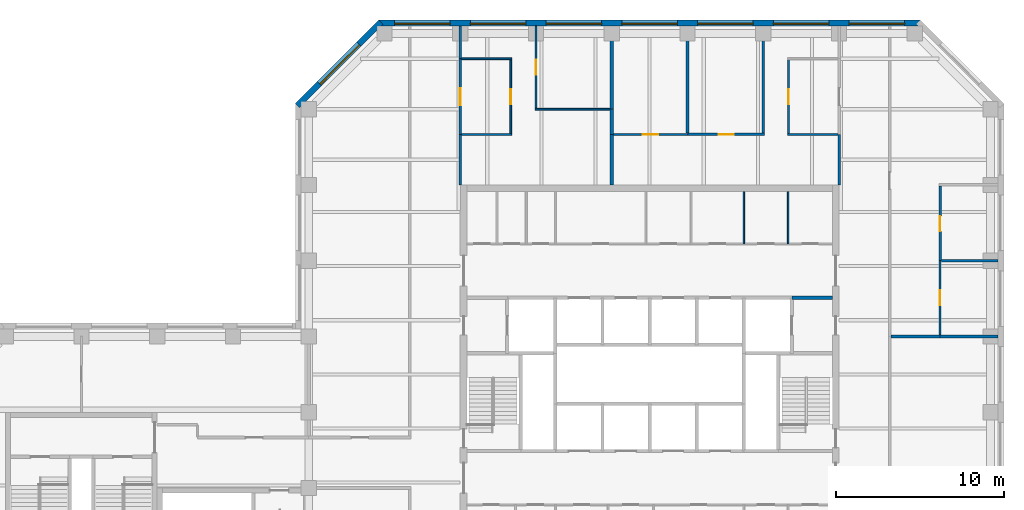
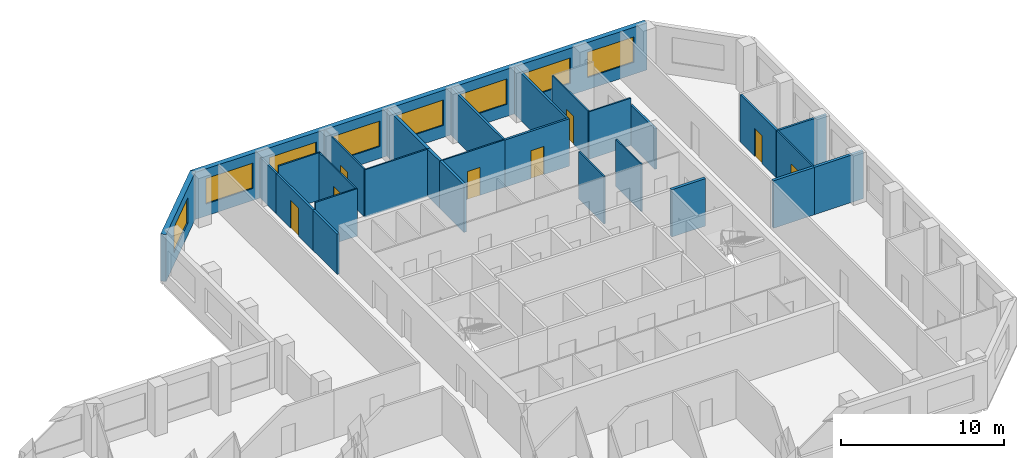
# One storey, part 7 of 9: 28 walls, 8 doors, 8 windows, 16 openings.
"""IFC4 building model written with IfcOpenShell, lengths in metres."""

from ifc_helpers import new_model, si_unit, direction, frame, frame_2d, origin, place, context, subcontext, project, spatial, rectangle, extrude, material, layer, layer_set, constituent, constituent_set, type_object, element, fill, save


model = new_model("IFC4")

# Units and contexts
model_context = context("Model", 3, precision=1e-05, world=origin(), true_north=direction((0.0, 1.0)))
body_context = subcontext(model_context, "Body", "Model", "MODEL_VIEW")
ifc_project = project(units=[si_unit("LENGTHUNIT", "METRE"), si_unit("AREAUNIT", "SQUARE_METRE"), si_unit("VOLUMEUNIT", "CUBIC_METRE"), si_unit("PLANEANGLEUNIT", "RADIAN"), si_unit("MASSUNIT", "GRAM", prefix="KILO")], contexts=[model_context])

# Site, building, storey
site_placement = place(None, origin())
site = spatial("IfcSite", under=ifc_project, at=site_placement, CompositionType="ELEMENT")
building_placement = place(site_placement, origin())
building = spatial("IfcBuilding", under=site, at=building_placement, Name="Quoin Convention Tower", CompositionType="ELEMENT")
storey_placement = place(building_placement, frame((0.0, 0.0, 248.89990234375)))
storey = spatial("IfcBuildingStorey", under=building, at=storey_placement, Name="L65", CompositionType="ELEMENT", Elevation=248.89990234375)

# Wall
ifc_material_1 = material(Name="Plasterboard")
ifc_layer_1 = layer(ifc_material_1, 0.012451171875, Name="Finish")
ifc_material_2 = material(Name="Steel stud framing", Category="steel")
ifc_layer_2 = layer(ifc_material_2, 0.125, Name="Structure")
ifc_layer_3 = layer(ifc_material_1, 0.012451171875, Name="Finish")
ifc_layer_set_1 = layer_set([ifc_layer_1, ifc_layer_2, ifc_layer_3], Name="Steel stud framing")
wall_type_1 = type_object("IfcWallType", Name="Acoustic partition 150", PredefinedType="PARTITIONING", material=ifc_layer_set_1)
wall_1_placement = place(storey_placement, frame((73.574951171875, 67.5, 0.0), z_axis=(0.0, 0.0, 1.0), x_axis=(1.0, 0.0, 0.0)))
element("IfcWall", 1, at=wall_1_placement, inside=storey, type_object=wall_type_1, Name="pw-L65-023", PredefinedType="PARTITIONING", context=body_context, shape_type="SweptSolid", body=[
    extrude(rectangle(XDim=3.375, YDim=0.14990234375, at=frame_2d((1.6875, 0.0))), origin(), (0.0, 0.0, 1.0), 3.550048828125),
])

# Wall, opening, door
wall_2_placement = place(storey_placement, frame((58.5, 75.0, 0.0), z_axis=(0.0, 0.0, 1.0), x_axis=(1.0, 0.0, 0.0)))
wall_2 = element("IfcWall", 2, at=wall_2_placement, inside=storey, type_object=wall_type_1, Name="pw-L65-027", PredefinedType="PARTITIONING", context=body_context, shape_type="SweptSolid", body=[
    extrude(rectangle(XDim=4.574951171875, YDim=0.14990234375, at=frame_2d((2.28759765625, 0.0))), origin(), (0.0, 0.0, 1.0), 3.550048828125),
])
opening_1_placement = place(wall_2_placement, frame((1.85009765625, 0.0, 0.0)))
opening_1 = element("IfcOpeningElement", 3, at=opening_1_placement, cuts=wall_2, Name="Opening DOH12-08", PredefinedType="OPENING", context=body_context, shape_type="SweptSolid", body=[
    extrude(rectangle(XDim=0.89990234375, YDim=2.10009765625, at=frame_2d((0.449951171875, 1.050048828125))), frame((0.0, 0.0849609375, 0.0), z_axis=(0.0, -1.0, 0.0), x_axis=(1.0, 0.0, 0.0)), (0.0, 0.0, 1.0), 0.169921875),
])
ifc_material_3 = material(Name="Steel door leaf", Category="steel")
door_type_1 = type_object("IfcDoorType", Name="Office door 900 x 2100", OperationType="SINGLE_SWING_RIGHT", PredefinedType="DOOR", material=ifc_material_3)
door_1_placement = place(opening_1_placement, frame((0.89990234375, 0.0, 0.0), z_axis=(0.0, 0.0, 1.0), x_axis=(-1.0, 0.0, 0.0)))
door_1 = element("IfcDoor", 4, at=door_1_placement, inside=storey, type_object=door_type_1, Name="dr-L65-22", OperationType="SINGLE_SWING_LEFT", OverallHeight=2.10009765625, OverallWidth=0.89990234375, PredefinedType="DOOR", context=body_context, shape_type="SweptSolid", body=[
    extrude(rectangle(XDim=0.89990234375, YDim=2.10009765625, at=frame_2d((0.449951171875, 1.050048828125))), frame((0.0, 0.02490234375, 0.0), z_axis=(0.0, -1.0, 0.0), x_axis=(1.0, 0.0, 0.0)), (0.0, 0.0, 1.0), 0.050048828125),
])
fill(opening_1, door_1)

wall_3_placement = place(storey_placement, frame((73.5, 67.5, 0.0), z_axis=(0.0, 0.0, 1.0), x_axis=(0.0, 1.0, 0.0)))
wall_3 = element("IfcWall", 5, at=wall_3_placement, inside=storey, type_object=wall_type_1, Name="pw-L65-064", PredefinedType="PARTITIONING", context=body_context, shape_type="SweptSolid", body=[
    extrude(rectangle(XDim=4.425048828125, YDim=0.14990234375, at=frame_2d((2.21240234375, 0.0))), origin(), (0.0, 0.0, 1.0), 3.550048828125),
])
opening_2_placement = place(wall_3_placement, frame((1.75, 0.0, 0.0)))
opening_2 = element("IfcOpeningElement", 6, at=opening_2_placement, cuts=wall_3, Name="Opening DOH12-17", PredefinedType="OPENING", context=body_context, shape_type="SweptSolid", body=[
    extrude(rectangle(XDim=0.89990234375, YDim=2.10009765625, at=frame_2d((0.449951171875, 1.050048828125))), frame((0.0, 0.0849609375, 0.0), z_axis=(0.0, -1.0, 0.0), x_axis=(1.0, 0.0, 0.0)), (0.0, 0.0, 1.0), 0.169921875),
])
door_2_placement = place(opening_2_placement, origin())
door_2 = element("IfcDoor", 7, at=door_2_placement, inside=storey, type_object=door_type_1, Name="dr-L65-29", OperationType="SINGLE_SWING_RIGHT", OverallHeight=2.10009765625, OverallWidth=0.89990234375, PredefinedType="DOOR", context=body_context, shape_type="SweptSolid", body=[
    extrude(rectangle(XDim=0.89990234375, YDim=2.10009765625, at=frame_2d((0.449951171875, 1.050048828125))), frame((0.0, 0.02490234375, 0.0), z_axis=(0.0, -1.0, 0.0), x_axis=(1.0, 0.0, 0.0)), (0.0, 0.0, 1.0), 0.050048828125),
])
fill(opening_2, door_2)

# Walls
for number, where, z_axis, x_axis, name in (
    (8, (58.5, 75.074951171875, 0.0), (0.0, 0.0, 1.0), (0.0, 1.0, 0.0), "pw-L65-073"),
    (9, (63.0, 75.074951171875, 0.0), (0.0, 0.0, 1.0), (0.0, 1.0, 0.0), "pw-L65-074"),
):
    element("IfcWall", number, at=place(storey_placement, frame(where, z_axis=z_axis, x_axis=x_axis)), inside=storey, type_object=wall_type_1, Name=name, PredefinedType="PARTITIONING", context=body_context, shape_type="SweptSolid", body=[
        extrude(rectangle(XDim=6.375, YDim=0.14990234375, at=frame_2d((3.1875, 0.0))), origin(), (0.0, 0.0, 1.0), 3.550048828125),
    ])

# Wall, openings, windows
ifc_material_4 = material(Name="Brick masonry", Category="masonry")
ifc_layer_4 = layer(ifc_material_4, 0.35009765625)
ifc_layer_set_2 = layer_set([ifc_layer_4], Name="Brick masonry")
wall_type_2 = type_object("IfcWallType", Name="Brick facade wall", PredefinedType="STANDARD", material=ifc_layer_set_2)
wall_4_placement = place(storey_placement, frame((72.331298828125, 81.625, 0.0), z_axis=(0.0, 0.0, 1.0), x_axis=(-1.0, 0.0, 0.0)))
wall_4 = element("IfcWall", 10, at=wall_4_placement, inside=storey, type_object=wall_type_2, Name="fw-L65-72000_81000", PredefinedType="STANDARD", context=body_context, shape_type="SweptSolid", body=[
    extrude(rectangle(XDim=32.16259765625, YDim=0.35009765625, at=frame_2d((16.081298828125, 0.0))), origin(), (0.0, 0.0, 1.0), 3.525146484375),
])
opening_3_placement = place(wall_4_placement, frame((0.931396484375, 0.0, 0.89990234375)))
opening_3 = element("IfcOpeningElement", 11, at=opening_3_placement, cuts=wall_4, Name="Opening W-02", PredefinedType="OPENING", context=body_context, shape_type="SweptSolid", body=[
    extrude(rectangle(XDim=3.300048828125, YDim=1.89990234375, at=frame_2d((1.64990234375, 0.949951171875))), frame((0.0, 0.18505859375, 0.0), z_axis=(0.0, -1.0, 0.0), x_axis=(1.0, 0.0, 0.0)), (0.0, 0.0, 1.0), 0.3701171875),
])
opening_4_placement = place(wall_4_placement, frame((5.431396484375, 0.0, 0.89990234375)))
opening_4 = element("IfcOpeningElement", 12, at=opening_4_placement, cuts=wall_4, Name="Opening W-02", PredefinedType="OPENING", context=body_context, shape_type="SweptSolid", body=[
    extrude(rectangle(XDim=3.300048828125, YDim=1.89990234375, at=frame_2d((1.64990234375, 0.949951171875))), frame((0.0, 0.18505859375, 0.0), z_axis=(0.0, -1.0, 0.0), x_axis=(1.0, 0.0, 0.0)), (0.0, 0.0, 1.0), 0.3701171875),
])
opening_5_placement = place(wall_4_placement, frame((9.931396484375, 0.0, 0.89990234375)))
opening_5 = element("IfcOpeningElement", 13, at=opening_5_placement, cuts=wall_4, Name="Opening W-02", PredefinedType="OPENING", context=body_context, shape_type="SweptSolid", body=[
    extrude(rectangle(XDim=3.300048828125, YDim=1.89990234375, at=frame_2d((1.64990234375, 0.949951171875))), frame((0.0, 0.18505859375, 0.0), z_axis=(0.0, -1.0, 0.0), x_axis=(1.0, 0.0, 0.0)), (0.0, 0.0, 1.0), 0.3701171875),
])
opening_6_placement = place(wall_4_placement, frame((14.431396484375, 0.0, 0.89990234375)))
opening_6 = element("IfcOpeningElement", 14, at=opening_6_placement, cuts=wall_4, Name="Opening W-02", PredefinedType="OPENING", context=body_context, shape_type="SweptSolid", body=[
    extrude(rectangle(XDim=3.300048828125, YDim=1.89990234375, at=frame_2d((1.64990234375, 0.949951171875))), frame((0.0, 0.18505859375, 0.0), z_axis=(0.0, -1.0, 0.0), x_axis=(1.0, 0.0, 0.0)), (0.0, 0.0, 1.0), 0.3701171875),
])
opening_7_placement = place(wall_4_placement, frame((18.931396484375, 0.0, 0.89990234375)))
opening_7 = element("IfcOpeningElement", 15, at=opening_7_placement, cuts=wall_4, Name="Opening W-02", PredefinedType="OPENING", context=body_context, shape_type="SweptSolid", body=[
    extrude(rectangle(XDim=3.300048828125, YDim=1.89990234375, at=frame_2d((1.64990234375, 0.949951171875))), frame((0.0, 0.18505859375, 0.0), z_axis=(0.0, -1.0, 0.0), x_axis=(1.0, 0.0, 0.0)), (0.0, 0.0, 1.0), 0.3701171875),
])
opening_8_placement = place(wall_4_placement, frame((23.431396484375, 0.0, 0.89990234375)))
opening_8 = element("IfcOpeningElement", 16, at=opening_8_placement, cuts=wall_4, Name="Opening W-02", PredefinedType="OPENING", context=body_context, shape_type="SweptSolid", body=[
    extrude(rectangle(XDim=3.300048828125, YDim=1.89990234375, at=frame_2d((1.64990234375, 0.949951171875))), frame((0.0, 0.18505859375, 0.0), z_axis=(0.0, -1.0, 0.0), x_axis=(1.0, 0.0, 0.0)), (0.0, 0.0, 1.0), 0.3701171875),
])
opening_9_placement = place(wall_4_placement, frame((27.931396484375, 0.0, 0.89990234375)))
opening_9 = element("IfcOpeningElement", 17, at=opening_9_placement, cuts=wall_4, Name="Opening W-02", PredefinedType="OPENING", context=body_context, shape_type="SweptSolid", body=[
    extrude(rectangle(XDim=3.300048828125, YDim=1.89990234375, at=frame_2d((1.64990234375, 0.949951171875))), frame((0.0, 0.18505859375, 0.0), z_axis=(0.0, -1.0, 0.0), x_axis=(1.0, 0.0, 0.0)), (0.0, 0.0, 1.0), 0.3701171875),
])
ifc_material_5 = material(Name="Aluminium", Category="aluminium")
ifc_constituent_1 = constituent(ifc_material_5, Name="Frame")
ifc_material_6 = material(Name="Insulated glass", Category="glass")
ifc_constituent_2 = constituent(ifc_material_6, Name="Glazing")
ifc_constituent_set = constituent_set(constituents=[ifc_constituent_1, ifc_constituent_2], Name="Aluminium")
window_type = type_object("IfcWindowType", Name="Office window", PartitioningType="DOUBLE_PANEL_VERTICAL", PredefinedType="WINDOW", material=ifc_constituent_set)
window_1_placement = place(opening_3_placement, origin())
window_1 = element("IfcWindow", 18, at=window_1_placement, inside=storey, type_object=window_type, Name="win-L65-69750_81625", OverallHeight=1.89990234375, OverallWidth=3.300048828125, PartitioningType="SINGLE_PANEL", PredefinedType="WINDOW", context=body_context, shape_type="SweptSolid", body=[
    extrude(rectangle(XDim=3.300048828125, YDim=1.89990234375, at=frame_2d((1.64990234375, 0.949951171875))), frame((0.0, 0.0849609375, 0.0), z_axis=(0.0, -1.0, 0.0), x_axis=(1.0, 0.0, 0.0)), (0.0, 0.0, 1.0), 0.06005859375),
])
fill(opening_3, window_1)
window_2_placement = place(opening_4_placement, origin())
window_2 = element("IfcWindow", 19, at=window_2_placement, inside=storey, type_object=window_type, Name="win-L65-65250_81625", OverallHeight=1.89990234375, OverallWidth=3.300048828125, PartitioningType="SINGLE_PANEL", PredefinedType="WINDOW", context=body_context, shape_type="SweptSolid", body=[
    extrude(rectangle(XDim=3.300048828125, YDim=1.89990234375, at=frame_2d((1.64990234375, 0.949951171875))), frame((0.0, 0.0849609375, 0.0), z_axis=(0.0, -1.0, 0.0), x_axis=(1.0, 0.0, 0.0)), (0.0, 0.0, 1.0), 0.06005859375),
])
fill(opening_4, window_2)
window_3_placement = place(opening_5_placement, origin())
window_3 = element("IfcWindow", 20, at=window_3_placement, inside=storey, type_object=window_type, Name="win-L65-60750_81625", OverallHeight=1.89990234375, OverallWidth=3.300048828125, PartitioningType="SINGLE_PANEL", PredefinedType="WINDOW", context=body_context, shape_type="SweptSolid", body=[
    extrude(rectangle(XDim=3.300048828125, YDim=1.89990234375, at=frame_2d((1.64990234375, 0.949951171875))), frame((0.0, 0.0849609375, 0.0), z_axis=(0.0, -1.0, 0.0), x_axis=(1.0, 0.0, 0.0)), (0.0, 0.0, 1.0), 0.06005859375),
])
fill(opening_5, window_3)
window_4_placement = place(opening_6_placement, origin())
window_4 = element("IfcWindow", 21, at=window_4_placement, inside=storey, type_object=window_type, Name="win-L65-56250_81625", OverallHeight=1.89990234375, OverallWidth=3.300048828125, PartitioningType="SINGLE_PANEL", PredefinedType="WINDOW", context=body_context, shape_type="SweptSolid", body=[
    extrude(rectangle(XDim=3.300048828125, YDim=1.89990234375, at=frame_2d((1.64990234375, 0.949951171875))), frame((0.0, 0.0849609375, 0.0), z_axis=(0.0, -1.0, 0.0), x_axis=(1.0, 0.0, 0.0)), (0.0, 0.0, 1.0), 0.06005859375),
])
fill(opening_6, window_4)
window_5_placement = place(opening_7_placement, origin())
window_5 = element("IfcWindow", 22, at=window_5_placement, inside=storey, type_object=window_type, Name="win-L65-51750_81625", OverallHeight=1.89990234375, OverallWidth=3.300048828125, PartitioningType="SINGLE_PANEL", PredefinedType="WINDOW", context=body_context, shape_type="SweptSolid", body=[
    extrude(rectangle(XDim=3.300048828125, YDim=1.89990234375, at=frame_2d((1.64990234375, 0.949951171875))), frame((0.0, 0.0849609375, 0.0), z_axis=(0.0, -1.0, 0.0), x_axis=(1.0, 0.0, 0.0)), (0.0, 0.0, 1.0), 0.06005859375),
])
fill(opening_7, window_5)
window_6_placement = place(opening_8_placement, origin())
window_6 = element("IfcWindow", 23, at=window_6_placement, inside=storey, type_object=window_type, Name="win-L65-47250_81625", OverallHeight=1.89990234375, OverallWidth=3.300048828125, PartitioningType="SINGLE_PANEL", PredefinedType="WINDOW", context=body_context, shape_type="SweptSolid", body=[
    extrude(rectangle(XDim=3.300048828125, YDim=1.89990234375, at=frame_2d((1.64990234375, 0.949951171875))), frame((0.0, 0.0849609375, 0.0), z_axis=(0.0, -1.0, 0.0), x_axis=(1.0, 0.0, 0.0)), (0.0, 0.0, 1.0), 0.06005859375),
])
fill(opening_8, window_6)
window_7_placement = place(opening_9_placement, origin())
window_7 = element("IfcWindow", 24, at=window_7_placement, inside=storey, type_object=window_type, Name="win-L65-42750_81625", OverallHeight=1.89990234375, OverallWidth=3.300048828125, PartitioningType="SINGLE_PANEL", PredefinedType="WINDOW", context=body_context, shape_type="SweptSolid", body=[
    extrude(rectangle(XDim=3.300048828125, YDim=1.89990234375, at=frame_2d((1.64990234375, 0.949951171875))), frame((0.0, 0.0849609375, 0.0), z_axis=(0.0, -1.0, 0.0), x_axis=(1.0, 0.0, 0.0)), (0.0, 0.0, 1.0), 0.06005859375),
])
fill(opening_9, window_7)

# Wall, opening, window
wall_5_placement = place(storey_placement, frame((40.29248046875, 81.67626953125, 0.0), z_axis=(0.0, 0.0, 1.0), x_axis=(-0.707106781187, -0.707106781187, 0.0)))
wall_5 = element("IfcWall", 25, at=wall_5_placement, inside=storey, type_object=wall_type_2, Name="fw-L65-40500_81000", PredefinedType="STANDARD", context=body_context, shape_type="SweptSolid", body=[
    extrude(rectangle(XDim=7.02685546875, YDim=0.35009765625, at=frame_2d((3.513427734375, 0.0))), origin(), (0.0, 0.0, 1.0), 3.525146484375),
])
opening_10_placement = place(wall_5_placement, frame((1.86328125, 0.0, 0.89990234375)))
opening_10 = element("IfcOpeningElement", 26, at=opening_10_placement, cuts=wall_5, Name="Opening W-02", PredefinedType="OPENING", context=body_context, shape_type="SweptSolid", body=[
    extrude(rectangle(XDim=3.300048828125, YDim=1.89990234375, at=frame_2d((1.64990234375, 0.949951171875))), frame((0.0, 0.18505859375, 0.0), z_axis=(0.0, -1.0, 0.0), x_axis=(1.0, 0.0, 0.0)), (0.0, 0.0, 1.0), 0.3701171875),
])
window_8_placement = place(opening_10_placement, origin())
window_8 = element("IfcWindow", 27, at=window_8_placement, inside=storey, type_object=window_type, Name="win-L65-37808_79192", OverallHeight=1.89990234375, OverallWidth=3.300048828125, PartitioningType="SINGLE_PANEL", PredefinedType="WINDOW", context=body_context, shape_type="SweptSolid", body=[
    extrude(rectangle(XDim=3.300048828125, YDim=1.89990234375, at=frame_2d((1.64990234375, 0.949951171875))), frame((0.0, 0.0849609375, 0.0), z_axis=(0.0, -1.0, 0.0), x_axis=(1.0, 0.0, 0.0)), (0.0, 0.0, 1.0), 0.06005859375),
])
fill(opening_10, window_8)

# Walls
ifc_layer_5 = layer(ifc_material_1, 0.012451171875, Name="Finish")
ifc_layer_6 = layer(ifc_material_2, 0.074951171875, Name="Structure")
ifc_layer_7 = layer(ifc_material_1, 0.012451171875, Name="Finish")
ifc_layer_set_3 = layer_set([ifc_layer_5, ifc_layer_6, ifc_layer_7], Name="Steel stud framing")
wall_type_3 = type_object("IfcWallType", Name="Core partition wall", PredefinedType="PARTITIONING", material=ifc_layer_set_3)
for number, where, z_axis, x_axis, name in (
    (28, (61.85009765625, 68.5, 0.0), (0.0, 0.0, 1.0), (0.0, 1.0, 0.0), "cr-C1-L65-v16850_19000"),
    (29, (64.47509765625, 68.5, 0.0), (0.0, 0.0, 1.0), (0.0, 1.0, 0.0), "cr-C1-L65-v19475_19000"),
):
    element("IfcWall", number, at=place(storey_placement, frame(where, z_axis=z_axis, x_axis=x_axis)), inside=storey, type_object=wall_type_3, Name=name, PredefinedType="PARTITIONING", context=body_context, shape_type="SweptSolid", body=[
        extrude(rectangle(XDim=3.10009765625, YDim=0.10009765625, at=frame_2d((1.550048828125, 0.0))), origin(), (0.0, 0.0, 1.0), 3.550048828125),
    ])
ifc_material_7 = material(Name="Concrete C50", Category="concrete")
ifc_layer_8 = layer(ifc_material_7, 0.199951171875)
ifc_layer_set_4 = layer_set([ifc_layer_8], Name="Concrete C50")
wall_type_4 = type_object("IfcWallType", Name="Core shaft wall", PredefinedType="SOLIDWALL", material=ifc_layer_set_4)
wall_6_placement = place(storey_placement, frame((64.699951171875, 65.300048828125, 0.0), z_axis=(0.0, 0.0, 1.0), x_axis=(1.0, 0.0, 0.0)))
element("IfcWall", 30, at=wall_6_placement, inside=storey, type_object=wall_type_4, Name="cr-C1-L65-h15800_19700", PredefinedType="SOLIDWALL", context=body_context, shape_type="SweptSolid", body=[
    extrude(rectangle(XDim=2.400146484375, YDim=0.199951171875, at=frame_2d((1.2001953125, 0.0))), origin(), (0.0, 0.0, 1.0), 3.550048828125),
])
ifc_layer_9 = layer(ifc_material_1, 0.012451171875, Name="Finish")
ifc_layer_10 = layer(ifc_material_2, 0.125, Name="Structure")
ifc_layer_11 = layer(ifc_material_1, 0.012451171875, Name="Finish")
ifc_layer_set_5 = layer_set([ifc_layer_9, ifc_layer_10, ifc_layer_11], Name="Steel stud framing")
wall_type_5 = type_object("IfcWallType", Name="Corridor wall 150 under beam 528", PredefinedType="PARTITIONING", material=ifc_layer_set_5)
for number, where, z_axis, x_axis, name in (
    (31, (45.0, 72.0, 0.0), (0.0, 0.0, 1.0), (0.0, 1.0, 0.0), "pw-L65-065"),
    (32, (67.5, 72.0, 0.0), (0.0, 0.0, 1.0), (0.0, 1.0, 0.0), "pw-L65-067"),
):
    element("IfcWall", number, at=place(storey_placement, frame(where, z_axis=z_axis, x_axis=x_axis)), inside=storey, type_object=wall_type_5, Name=name, PredefinedType="PARTITIONING", context=body_context, shape_type="SweptSolid", body=[
        extrude(rectangle(XDim=3.0, YDim=0.14990234375, at=frame_2d((1.5, 0.0))), origin(), (0.0, 0.0, 1.0), 3.022216796875),
    ])

# Wall, opening, door
wall_7_placement = place(storey_placement, frame((45.0, 75.0, 0.0), z_axis=(0.0, 0.0, 1.0), x_axis=(0.0, 1.0, 0.0)))
wall_7 = element("IfcWall", 33, at=wall_7_placement, inside=storey, type_object=wall_type_5, Name="pw-L65-068", PredefinedType="PARTITIONING", context=body_context, shape_type="SweptSolid", body=[
    extrude(rectangle(XDim=4.5, YDim=0.14990234375, at=frame_2d((2.25, 0.0))), origin(), (0.0, 0.0, 1.0), 3.022216796875),
])
opening_11_placement = place(wall_7_placement, frame((1.75, 0.0, 0.0)))
opening_11 = element("IfcOpeningElement", 34, at=opening_11_placement, cuts=wall_7, Name="Opening DOH12-18", PredefinedType="OPENING", context=body_context, shape_type="SweptSolid", body=[
    extrude(rectangle(XDim=1.0, YDim=2.10009765625, at=frame_2d((0.5, 1.050048828125))), frame((0.0, 0.0849609375, 0.0), z_axis=(0.0, -1.0, 0.0), x_axis=(1.0, 0.0, 0.0)), (0.0, 0.0, 1.0), 0.169921875),
])
door_type_2 = type_object("IfcDoorType", Name="Tenancy entrance door 1000 x 2100", OperationType="DOUBLE_DOOR_SINGLE_SWING", PredefinedType="DOOR", material=ifc_material_3)
door_3_placement = place(opening_11_placement, origin())
door_3 = element("IfcDoor", 35, at=door_3_placement, inside=storey, type_object=door_type_2, Name="dr-L65-16", OperationType="DOUBLE_DOOR_SINGLE_SWING", OverallHeight=2.10009765625, OverallWidth=1.0, PredefinedType="DOOR", context=body_context, shape_type="SweptSolid", body=[
    extrude(rectangle(XDim=1.0, YDim=2.10009765625, at=frame_2d((0.5, 1.050048828125))), frame((0.0, 0.02490234375, 0.0), z_axis=(0.0, -1.0, 0.0), x_axis=(1.0, 0.0, 0.0)), (0.0, 0.0, 1.0), 0.050048828125),
])
fill(opening_11, door_3)

# Walls
wall_8_placement = place(storey_placement, frame((45.0, 79.5, 0.0), z_axis=(0.0, 0.0, 1.0), x_axis=(0.0, 1.0, 0.0)))
element("IfcWall", 36, at=wall_8_placement, inside=storey, type_object=wall_type_5, Name="pw-L65-077", PredefinedType="PARTITIONING", context=body_context, shape_type="SweptSolid", body=[
    extrude(rectangle(XDim=1.949951171875, YDim=0.14990234375, at=frame_2d((0.97509765625, 0.0))), origin(), (0.0, 0.0, 1.0), 3.022216796875),
])
ifc_layer_12 = layer(ifc_material_1, 0.012451171875, Name="Finish")
ifc_layer_13 = layer(ifc_material_2, 0.074951171875, Name="Structure")
ifc_layer_14 = layer(ifc_material_1, 0.012451171875, Name="Finish")
ifc_layer_set_6 = layer_set([ifc_layer_12, ifc_layer_13, ifc_layer_14], Name="Steel stud framing")
wall_type_6 = type_object("IfcWallType", Name="Stud partition 100", PredefinedType="PARTITIONING", material=ifc_layer_set_6)
wall_9_placement = place(storey_placement, frame((45.074951171875, 75.0, 0.0), z_axis=(0.0, 0.0, 1.0), x_axis=(1.0, 0.0, 0.0)))
element("IfcWall", 37, at=wall_9_placement, inside=storey, type_object=wall_type_6, Name="pw-L65-025", PredefinedType="PARTITIONING", context=body_context, shape_type="SweptSolid", body=[
    extrude(rectangle(XDim=2.97509765625, YDim=0.10009765625, at=frame_2d((1.487548828125, 0.0))), origin(), (0.0, 0.0, 1.0), 3.550048828125),
])

# Wall, opening, door
wall_10_placement = place(storey_placement, frame((54.10009765625, 75.0, 0.0), z_axis=(0.0, 0.0, 1.0), x_axis=(1.0, 0.0, 0.0)))
wall_10 = element("IfcWall", 38, at=wall_10_placement, inside=storey, type_object=wall_type_6, Name="pw-L65-026", PredefinedType="PARTITIONING", context=body_context, shape_type="SweptSolid", body=[
    extrude(rectangle(XDim=4.39990234375, YDim=0.10009765625, at=frame_2d((2.199951171875, 0.0))), origin(), (0.0, 0.0, 1.0), 3.550048828125),
])
opening_12_placement = place(wall_10_placement, frame((1.75, 0.0, 0.0)))
opening_12 = element("IfcOpeningElement", 39, at=opening_12_placement, cuts=wall_10, Name="Opening DOH12-07", PredefinedType="OPENING", context=body_context, shape_type="SweptSolid", body=[
    extrude(rectangle(XDim=0.89990234375, YDim=2.10009765625, at=frame_2d((0.449951171875, 1.050048828125))), frame((0.0, 0.06005859375, 0.0), z_axis=(0.0, -1.0, 0.0), x_axis=(1.0, 0.0, 0.0)), (0.0, 0.0, 1.0), 0.1201171875),
])
door_4_placement = place(opening_12_placement, frame((0.89990234375, 0.0, 0.0), z_axis=(0.0, 0.0, 1.0), x_axis=(-1.0, 0.0, 0.0)))
door_4 = element("IfcDoor", 40, at=door_4_placement, inside=storey, type_object=door_type_1, Name="dr-L65-21", OperationType="SINGLE_SWING_LEFT", OverallHeight=2.10009765625, OverallWidth=0.89990234375, PredefinedType="DOOR", context=body_context, shape_type="SweptSolid", body=[
    extrude(rectangle(XDim=0.89990234375, YDim=2.10009765625, at=frame_2d((0.449951171875, 1.050048828125))), frame((0.0, 0.02490234375, 0.0), z_axis=(0.0, -1.0, 0.0), x_axis=(1.0, 0.0, 0.0)), (0.0, 0.0, 1.0), 0.050048828125),
])
fill(opening_12, door_4)

# Walls
wall_11_placement = place(storey_placement, frame((64.449951171875, 75.0, 0.0), z_axis=(0.0, 0.0, 1.0), x_axis=(1.0, 0.0, 0.0)))
element("IfcWall", 41, at=wall_11_placement, inside=storey, type_object=wall_type_6, Name="pw-L65-028", PredefinedType="PARTITIONING", context=body_context, shape_type="SweptSolid", body=[
    extrude(rectangle(XDim=2.97509765625, YDim=0.10009765625, at=frame_2d((1.487548828125, 0.0))), origin(), (0.0, 0.0, 1.0), 3.550048828125),
])
wall_12_placement = place(storey_placement, frame((49.449951171875, 76.5, 0.0), z_axis=(0.0, 0.0, 1.0), x_axis=(1.0, 0.0, 0.0)))
element("IfcWall", 42, at=wall_12_placement, inside=storey, type_object=wall_type_6, Name="pw-L65-029", PredefinedType="PARTITIONING", context=body_context, shape_type="SweptSolid", body=[
    extrude(rectangle(XDim=4.449951171875, YDim=0.10009765625, at=frame_2d((2.22509765625, 0.0))), origin(), (0.0, 0.0, 1.0), 3.550048828125),
])
wall_13_placement = place(storey_placement, frame((45.074951171875, 79.5, 0.0), z_axis=(0.0, 0.0, 1.0), x_axis=(1.0, 0.0, 0.0)))
element("IfcWall", 43, at=wall_13_placement, inside=storey, type_object=wall_type_6, Name="pw-L65-030", PredefinedType="PARTITIONING", context=body_context, shape_type="SweptSolid", body=[
    extrude(rectangle(XDim=2.97509765625, YDim=0.10009765625, at=frame_2d((1.487548828125, 0.0))), origin(), (0.0, 0.0, 1.0), 3.550048828125),
])

# Wall, opening, door
wall_14_placement = place(storey_placement, frame((73.5, 63.10009765625, 0.0), z_axis=(0.0, 0.0, 1.0), x_axis=(0.0, 1.0, 0.0)))
wall_14 = element("IfcWall", 44, at=wall_14_placement, inside=storey, type_object=wall_type_6, Name="pw-L65-063", PredefinedType="PARTITIONING", context=body_context, shape_type="SweptSolid", body=[
    extrude(rectangle(XDim=4.39990234375, YDim=0.10009765625, at=frame_2d((2.199951171875, 0.0))), origin(), (0.0, 0.0, 1.0), 3.550048828125),
])
opening_13_placement = place(wall_14_placement, frame((1.75, 0.0, 0.0)))
opening_13 = element("IfcOpeningElement", 45, at=opening_13_placement, cuts=wall_14, Name="Opening DOH12-16", PredefinedType="OPENING", context=body_context, shape_type="SweptSolid", body=[
    extrude(rectangle(XDim=0.89990234375, YDim=2.10009765625, at=frame_2d((0.449951171875, 1.050048828125))), frame((0.0, 0.06005859375, 0.0), z_axis=(0.0, -1.0, 0.0), x_axis=(1.0, 0.0, 0.0)), (0.0, 0.0, 1.0), 0.1201171875),
])
door_5_placement = place(opening_13_placement, origin())
door_5 = element("IfcDoor", 46, at=door_5_placement, inside=storey, type_object=door_type_1, Name="dr-L65-28", OperationType="SINGLE_SWING_RIGHT", OverallHeight=2.10009765625, OverallWidth=0.89990234375, PredefinedType="DOOR", context=body_context, shape_type="SweptSolid", body=[
    extrude(rectangle(XDim=0.89990234375, YDim=2.10009765625, at=frame_2d((0.449951171875, 1.050048828125))), frame((0.0, 0.02490234375, 0.0), z_axis=(0.0, -1.0, 0.0), x_axis=(1.0, 0.0, 0.0)), (0.0, 0.0, 1.0), 0.050048828125),
])
fill(opening_13, door_5)

wall_15_placement = place(storey_placement, frame((48.0, 75.050048828125, 0.0), z_axis=(0.0, 0.0, 1.0), x_axis=(0.0, 1.0, 0.0)))
wall_15 = element("IfcWall", 47, at=wall_15_placement, inside=storey, type_object=wall_type_6, Name="pw-L65-071", PredefinedType="PARTITIONING", context=body_context, shape_type="SweptSolid", body=[
    extrude(rectangle(XDim=4.39990234375, YDim=0.10009765625, at=frame_2d((2.199951171875, 0.0))), origin(), (0.0, 0.0, 1.0), 3.550048828125),
])
opening_14_placement = place(wall_15_placement, frame((1.75, 0.0, 0.0)))
opening_14 = element("IfcOpeningElement", 48, at=opening_14_placement, cuts=wall_15, Name="Opening DOH12-20", PredefinedType="OPENING", context=body_context, shape_type="SweptSolid", body=[
    extrude(rectangle(XDim=0.89990234375, YDim=2.10009765625, at=frame_2d((0.449951171875, 1.050048828125))), frame((0.0, 0.06005859375, 0.0), z_axis=(0.0, -1.0, 0.0), x_axis=(1.0, 0.0, 0.0)), (0.0, 0.0, 1.0), 0.1201171875),
])
door_6_placement = place(opening_14_placement, frame((0.89990234375, 0.0, 0.0), z_axis=(0.0, 0.0, 1.0), x_axis=(-1.0, 0.0, 0.0)))
door_6 = element("IfcDoor", 49, at=door_6_placement, inside=storey, type_object=door_type_1, Name="dr-L65-17", OperationType="SINGLE_SWING_LEFT", OverallHeight=2.10009765625, OverallWidth=0.89990234375, PredefinedType="DOOR", context=body_context, shape_type="SweptSolid", body=[
    extrude(rectangle(XDim=0.89990234375, YDim=2.10009765625, at=frame_2d((0.449951171875, 1.050048828125))), frame((0.0, 0.02490234375, 0.0), z_axis=(0.0, -1.0, 0.0), x_axis=(1.0, 0.0, 0.0)), (0.0, 0.0, 1.0), 0.050048828125),
])
fill(opening_14, door_6)

wall_16_placement = place(storey_placement, frame((64.5, 75.050048828125, 0.0), z_axis=(0.0, 0.0, 1.0), x_axis=(0.0, 1.0, 0.0)))
wall_16 = element("IfcWall", 50, at=wall_16_placement, inside=storey, type_object=wall_type_6, Name="pw-L65-072", PredefinedType="PARTITIONING", context=body_context, shape_type="SweptSolid", body=[
    extrude(rectangle(XDim=4.39990234375, YDim=0.10009765625, at=frame_2d((2.199951171875, 0.0))), origin(), (0.0, 0.0, 1.0), 3.550048828125),
])
opening_15_placement = place(wall_16_placement, frame((1.75, 0.0, 0.0)))
opening_15 = element("IfcOpeningElement", 51, at=opening_15_placement, cuts=wall_16, Name="Opening DOH12-21", PredefinedType="OPENING", context=body_context, shape_type="SweptSolid", body=[
    extrude(rectangle(XDim=0.89990234375, YDim=2.10009765625, at=frame_2d((0.449951171875, 1.050048828125))), frame((0.0, 0.06005859375, 0.0), z_axis=(0.0, -1.0, 0.0), x_axis=(1.0, 0.0, 0.0)), (0.0, 0.0, 1.0), 0.1201171875),
])
door_7_placement = place(opening_15_placement, origin())
door_7 = element("IfcDoor", 52, at=door_7_placement, inside=storey, type_object=door_type_1, Name="dr-L65-20", OperationType="SINGLE_SWING_RIGHT", OverallHeight=2.10009765625, OverallWidth=0.89990234375, PredefinedType="DOOR", context=body_context, shape_type="SweptSolid", body=[
    extrude(rectangle(XDim=0.89990234375, YDim=2.10009765625, at=frame_2d((0.449951171875, 1.050048828125))), frame((0.0, 0.02490234375, 0.0), z_axis=(0.0, -1.0, 0.0), x_axis=(1.0, 0.0, 0.0)), (0.0, 0.0, 1.0), 0.050048828125),
])
fill(opening_15, door_7)

wall_17_placement = place(storey_placement, frame((49.5, 76.550048828125, 0.0), z_axis=(0.0, 0.0, 1.0), x_axis=(0.0, 1.0, 0.0)))
wall_17 = element("IfcWall", 53, at=wall_17_placement, inside=storey, type_object=wall_type_6, Name="pw-L65-076", PredefinedType="PARTITIONING", context=body_context, shape_type="SweptSolid", body=[
    extrude(rectangle(XDim=4.89990234375, YDim=0.10009765625, at=frame_2d((2.449951171875, 0.0))), origin(), (0.0, 0.0, 1.0), 3.550048828125),
])
opening_16_placement = place(wall_17_placement, frame((2.0, 0.0, 0.0)))
opening_16 = element("IfcOpeningElement", 54, at=opening_16_placement, cuts=wall_17, Name="Opening DOH12-22", PredefinedType="OPENING", context=body_context, shape_type="SweptSolid", body=[
    extrude(rectangle(XDim=0.89990234375, YDim=2.10009765625, at=frame_2d((0.449951171875, 1.050048828125))), frame((0.0, 0.06005859375, 0.0), z_axis=(0.0, -1.0, 0.0), x_axis=(1.0, 0.0, 0.0)), (0.0, 0.0, 1.0), 0.1201171875),
])
door_8_placement = place(opening_16_placement, origin())
door_8 = element("IfcDoor", 55, at=door_8_placement, inside=storey, type_object=door_type_1, Name="dr-L65-18", OperationType="SINGLE_SWING_RIGHT", OverallHeight=2.10009765625, OverallWidth=0.89990234375, PredefinedType="DOOR", context=body_context, shape_type="SweptSolid", body=[
    extrude(rectangle(XDim=0.89990234375, YDim=2.10009765625, at=frame_2d((0.449951171875, 1.050048828125))), frame((0.0, 0.02490234375, 0.0), z_axis=(0.0, -1.0, 0.0), x_axis=(1.0, 0.0, 0.0)), (0.0, 0.0, 1.0), 0.050048828125),
])
fill(opening_16, door_8)

# Walls
ifc_layer_15 = layer(ifc_material_1, 0.012451171875, Name="Finish")
ifc_layer_16 = layer(ifc_material_2, 0.175048828125, Name="Structure")
ifc_layer_17 = layer(ifc_material_1, 0.012451171875, Name="Finish")
ifc_layer_set_7 = layer_set([ifc_layer_15, ifc_layer_16, ifc_layer_17], Name="Steel stud framing")
wall_type_7 = type_object("IfcWallType", Name="Tenancy demising wall 200", PredefinedType="PARTITIONING", material=ifc_layer_set_7)
wall_18_placement = place(storey_placement, frame((70.574951171875, 63.0, 0.0), z_axis=(0.0, 0.0, 1.0), x_axis=(1.0, 0.0, 0.0)))
element("IfcWall", 56, at=wall_18_placement, inside=storey, type_object=wall_type_7, Name="pw-L65-021", PredefinedType="PARTITIONING", context=body_context, shape_type="SweptSolid", body=[
    extrude(rectangle(XDim=2.925048828125, YDim=0.199951171875, at=frame_2d((1.46240234375, 0.0))), origin(), (0.0, 0.0, 1.0), 3.550048828125),
])
wall_19_placement = place(storey_placement, frame((73.5, 63.0, 0.0), z_axis=(0.0, 0.0, 1.0), x_axis=(1.0, 0.0, 0.0)))
element("IfcWall", 57, at=wall_19_placement, inside=storey, type_object=wall_type_7, Name="pw-L65-022", PredefinedType="PARTITIONING", context=body_context, shape_type="SweptSolid", body=[
    extrude(rectangle(XDim=3.449951171875, YDim=0.199951171875, at=frame_2d((1.72509765625, 0.0))), origin(), (0.0, 0.0, 1.0), 3.550048828125),
])
wall_20_placement = place(storey_placement, frame((54.0, 72.0, 0.0), z_axis=(0.0, 0.0, 1.0), x_axis=(0.0, 1.0, 0.0)))
element("IfcWall", 58, at=wall_20_placement, inside=storey, type_object=wall_type_7, Name="pw-L65-066", PredefinedType="PARTITIONING", context=body_context, shape_type="SweptSolid", body=[
    extrude(rectangle(XDim=3.0, YDim=0.199951171875, at=frame_2d((1.5, 0.0))), origin(), (0.0, 0.0, 1.0), 3.550048828125),
])
wall_21_placement = place(storey_placement, frame((54.0, 75.0, 0.0), z_axis=(0.0, 0.0, 1.0), x_axis=(0.0, 1.0, 0.0)))
element("IfcWall", 59, at=wall_21_placement, inside=storey, type_object=wall_type_7, Name="pw-L65-069", PredefinedType="PARTITIONING", context=body_context, shape_type="SweptSolid", body=[
    extrude(rectangle(XDim=1.5, YDim=0.199951171875, at=frame_2d((0.75, 0.0))), origin(), (0.0, 0.0, 1.0), 3.550048828125),
])
wall_22_placement = place(storey_placement, frame((54.0, 76.5, 0.0), z_axis=(0.0, 0.0, 1.0), x_axis=(0.0, 1.0, 0.0)))
element("IfcWall", 60, at=wall_22_placement, inside=storey, type_object=wall_type_7, Name="pw-L65-075", PredefinedType="PARTITIONING", context=body_context, shape_type="SweptSolid", body=[
    extrude(rectangle(XDim=4.949951171875, YDim=0.199951171875, at=frame_2d((2.47509765625, 0.0))), origin(), (0.0, 0.0, 1.0), 3.550048828125),
])

save(model, "model.ifc")
